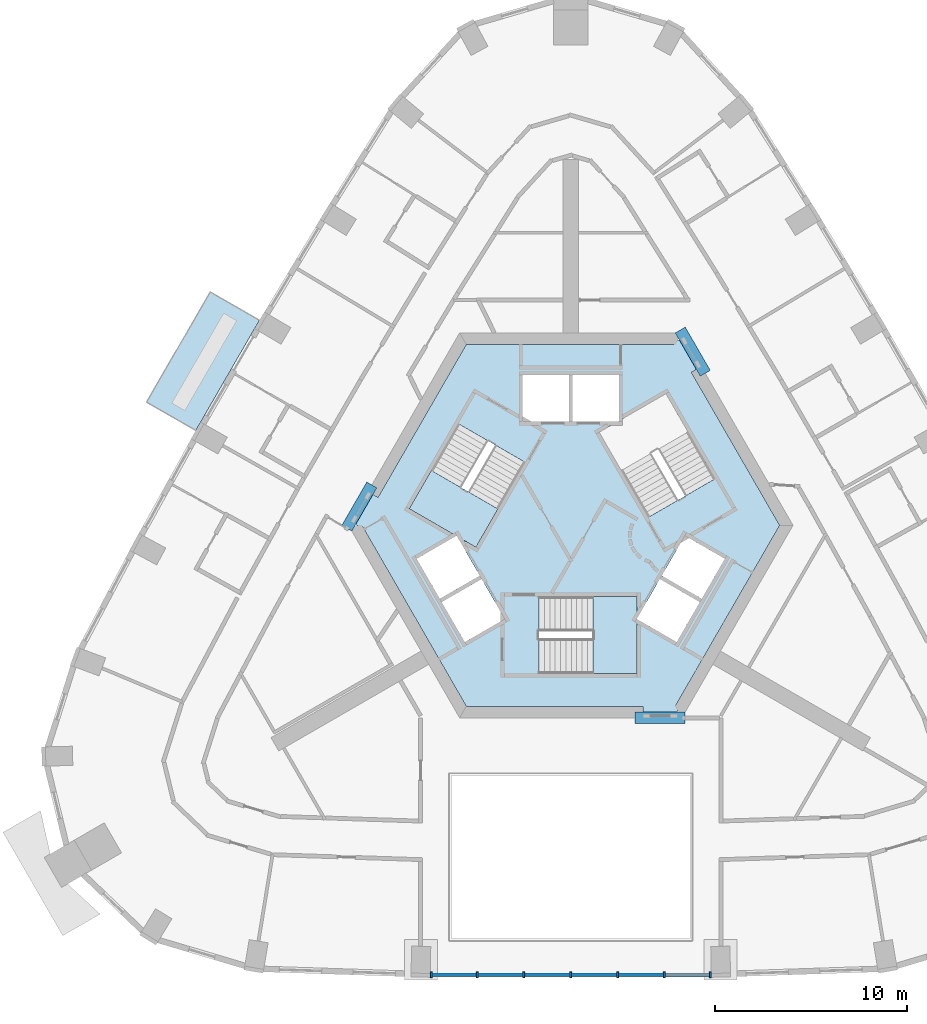
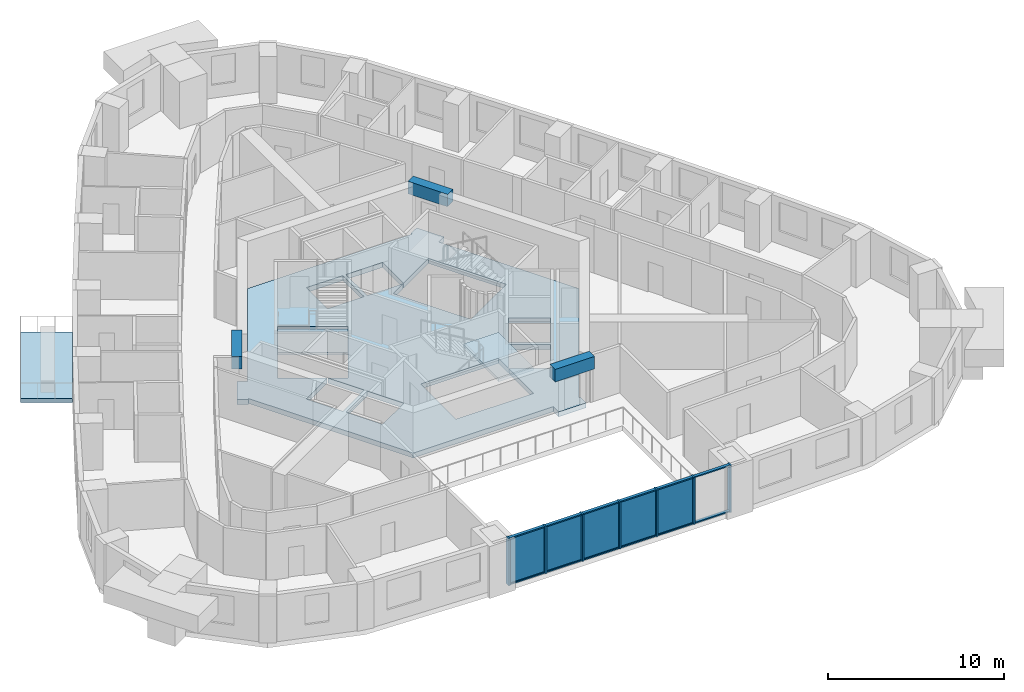
# One storey, part 2 of 13: 19 members, 5 plates, 4 slabs, 3 beams, 3 elements without a shape of their own.
"""IFC4 building model written with IfcOpenShell, lengths in metres."""

from ifc_helpers import new_model, si_unit, direction, frame, origin, origin_2d, place, context, subcontext, project, spatial, polyline, rectangle, outline, extrude, material, layer, layer_set, material_profile, profile_set, type_object, element, aggregate, save


model = new_model("IFC4")

# Units and contexts
model_context = context("Model", 3, precision=1e-05, world=origin(), true_north=direction((0.0, 1.0)))
body_context = subcontext(model_context, "Body", "Model", "MODEL_VIEW")
ifc_project = project(units=[si_unit("LENGTHUNIT", "METRE"), si_unit("AREAUNIT", "SQUARE_METRE"), si_unit("VOLUMEUNIT", "CUBIC_METRE"), si_unit("PLANEANGLEUNIT", "RADIAN"), si_unit("MASSUNIT", "GRAM", prefix="KILO")], contexts=[model_context])

# Site, building, storey
site_placement = place(None, origin())
site = spatial("IfcSite", under=ifc_project, at=site_placement, CompositionType="ELEMENT")
building_placement = place(site_placement, origin())
building = spatial("IfcBuilding", under=site, at=building_placement, Name="Entoto Arch Interchange Tower", CompositionType="ELEMENT")
storey_placement = place(building_placement, frame((0.0, 0.0, 270.199951171875)))
storey = spatial("IfcBuildingStorey", under=building, at=storey_placement, Name="L62", CompositionType="ELEMENT", Elevation=270.199951171875)

# Beams
ifc_material_1 = material(Name="Concrete C40/50", Category="concrete")
ifc_material_profile_1 = material_profile(ifc_material_1, rectangle(XDim=0.60009765625, YDim=0.860107421875, at=origin_2d()))
ifc_profile_set_1 = profile_set([ifc_material_profile_1], Name="Concrete C40/50")
beam_type = type_object("IfcBeamType", Name="Coupling beam RC 600x860 C40/50", PredefinedType="BEAM", material=ifc_profile_set_1)
beam_1_placement = place(storey_placement, frame((6.986083984375, 10.40087890625, 2.830078125), z_axis=(-0.500379508478, 0.865806183562, 0.0), x_axis=(-0.865806183562, -0.500379508478, 0.0)))
element("IfcBeam", 1, at=beam_1_placement, inside=storey, type_object=beam_type, Name="Coupling beam NE L62", PredefinedType="BEAM", context=body_context, shape_type="SweptSolid", body=[
    extrude(rectangle(XDim=0.60009765625, YDim=0.860107421875, at=origin_2d()), origin(), (0.0, 0.0, 1.0), 2.59423828125),
])
beam_2_placement = place(storey_placement, frame((-10.3359375, 4.59912109375, 2.830078125), z_axis=(-0.499814819145, -0.866132291606, 0.0), x_axis=(0.866132291606, -0.499814819145, 0.0)))
element("IfcBeam", 2, at=beam_2_placement, inside=storey, type_object=beam_type, Name="Coupling beam NW L62", PredefinedType="BEAM", context=body_context, shape_type="SweptSolid", body=[
    extrude(rectangle(XDim=0.60009765625, YDim=0.860107421875, at=origin_2d()), origin(), (0.0, 0.0, 1.0), 2.59326171875),
])
beam_3_placement = place(storey_placement, frame((3.35009765625, -7.5, 2.830078125), z_axis=(1.0, 0.0, 0.0), x_axis=(0.0, 1.0, 0.0)))
element("IfcBeam", 3, at=beam_3_placement, inside=storey, type_object=beam_type, Name="Coupling beam S L62", PredefinedType="BEAM", context=body_context, shape_type="SweptSolid", body=[
    extrude(rectangle(XDim=0.60009765625, YDim=0.860107421875, at=origin_2d()), origin(), (0.0, 0.0, 1.0), 2.593994140625),
])

# Curtain wall, members
ifc_material_2 = material(Name="Aluminium, anodised", Category="aluminium")
curtain_wall_type = type_object("IfcCurtainWallType", Name="CURTAIN WALL ATRIUM", PredefinedType="NOTDEFINED", material=ifc_material_2)
curtain_wall_placement = place(storey_placement, origin())
curtain_wall = element("IfcCurtainWall", 4, at=curtain_wall_placement, inside=storey, type_object=curtain_wall_type, Name="Atrium glazing S-02 L62", PredefinedType="NOTDEFINED")
ifc_material_profile_2 = material_profile(ifc_material_2, rectangle(XDim=0.300048828125, YDim=0.10009765625, at=origin_2d()))
ifc_profile_set_2 = profile_set([ifc_material_profile_2], Name="Aluminium, anodised")
member_type_1 = type_object("IfcMemberType", Name="MULLION ATRIUM 100x300", PredefinedType="MULLION", material=ifc_profile_set_2)
member_1_placement = place(storey_placement, frame((-7.2490234375, -20.843994140625, 0.0), z_axis=(0.0, 0.0, 1.0), x_axis=(0.0, 1.0, 0.0)))
member_1 = element("IfcMember", 5, at=member_1_placement, type_object=member_type_1, Name="CWA mullion 1", PredefinedType="MULLION", context=body_context, shape_type="SweptSolid", body=[
    extrude(rectangle(XDim=0.300048828125, YDim=0.10009765625, at=origin_2d()), origin(), (0.0, 0.0, 1.0), 3.260009765625),
])
member_2_placement = place(storey_placement, frame((-4.865966796875, -20.843994140625, 0.0), z_axis=(0.0, 0.0, 1.0), x_axis=(0.0, 1.0, 0.0)))
member_2 = element("IfcMember", 6, at=member_2_placement, type_object=member_type_1, Name="CWA mullion 2", PredefinedType="MULLION", context=body_context, shape_type="SweptSolid", body=[
    extrude(rectangle(XDim=0.300048828125, YDim=0.10009765625, at=origin_2d()), origin(), (0.0, 0.0, 1.0), 3.260009765625),
])
member_3_placement = place(storey_placement, frame((-2.43310546875, -20.843994140625, 0.0), z_axis=(0.0, 0.0, 1.0), x_axis=(0.0, 1.0, 0.0)))
member_3 = element("IfcMember", 7, at=member_3_placement, type_object=member_type_1, Name="CWA mullion 3", PredefinedType="MULLION", context=body_context, shape_type="SweptSolid", body=[
    extrude(rectangle(XDim=0.300048828125, YDim=0.10009765625, at=origin_2d()), origin(), (0.0, 0.0, 1.0), 3.260009765625),
])
member_4_placement = place(storey_placement, frame((0.0, -20.843994140625, 0.0), z_axis=(0.0, 0.0, 1.0), x_axis=(0.0, 1.0, 0.0)))
member_4 = element("IfcMember", 8, at=member_4_placement, type_object=member_type_1, Name="CWA mullion 4", PredefinedType="MULLION", context=body_context, shape_type="SweptSolid", body=[
    extrude(rectangle(XDim=0.300048828125, YDim=0.10009765625, at=origin_2d()), origin(), (0.0, 0.0, 1.0), 3.260009765625),
])
member_5_placement = place(storey_placement, frame((2.43310546875, -20.843994140625, 0.0), z_axis=(0.0, 0.0, 1.0), x_axis=(0.0, 1.0, 0.0)))
member_5 = element("IfcMember", 9, at=member_5_placement, type_object=member_type_1, Name="CWA mullion 5", PredefinedType="MULLION", context=body_context, shape_type="SweptSolid", body=[
    extrude(rectangle(XDim=0.300048828125, YDim=0.10009765625, at=origin_2d()), origin(), (0.0, 0.0, 1.0), 3.260009765625),
])
member_6_placement = place(storey_placement, frame((4.865966796875, -20.843994140625, 0.0), z_axis=(0.0, 0.0, 1.0), x_axis=(0.0, 1.0, 0.0)))
member_6 = element("IfcMember", 10, at=member_6_placement, type_object=member_type_1, Name="CWA mullion 6", PredefinedType="MULLION", context=body_context, shape_type="SweptSolid", body=[
    extrude(rectangle(XDim=0.300048828125, YDim=0.10009765625, at=origin_2d()), origin(), (0.0, 0.0, 1.0), 3.260009765625),
])
member_7_placement = place(storey_placement, frame((7.2490234375, -20.843994140625, 0.0), z_axis=(0.0, 0.0, 1.0), x_axis=(0.0, 1.0, 0.0)))
member_7 = element("IfcMember", 11, at=member_7_placement, type_object=member_type_1, Name="CWA mullion 7", PredefinedType="MULLION", context=body_context, shape_type="SweptSolid", body=[
    extrude(rectangle(XDim=0.300048828125, YDim=0.10009765625, at=origin_2d()), origin(), (0.0, 0.0, 1.0), 3.260009765625),
])
ifc_material_profile_3 = material_profile(ifc_material_2, rectangle(XDim=0.199951171875, YDim=0.080078125, at=origin_2d()))
ifc_profile_set_3 = profile_set([ifc_material_profile_3], Name="Aluminium, anodised")
member_type_2 = type_object("IfcMemberType", Name="TRANSOM ATRIUM 80x200", PredefinedType="USERDEFINED", material=ifc_profile_set_3)
member_8_placement = place(storey_placement, frame((-7.198974609375, -20.843994140625, 0.0400390625), z_axis=(1.0, 0.0, 0.0), x_axis=(0.0, 1.0, 0.0)))
member_8 = element("IfcMember", 12, at=member_8_placement, type_object=member_type_2, Name="CWA transom 1.1", ObjectType="TRANSOM", PredefinedType="USERDEFINED", context=body_context, shape_type="SweptSolid", body=[
    extrude(rectangle(XDim=0.199951171875, YDim=0.080078125, at=origin_2d()), origin(), (0.0, 0.0, 1.0), 2.282958984375),
])
member_9_placement = place(storey_placement, frame((-7.198974609375, -20.843994140625, 3.219970703125), z_axis=(1.0, 0.0, 0.0), x_axis=(0.0, 1.0, 0.0)))
member_9 = element("IfcMember", 13, at=member_9_placement, type_object=member_type_2, Name="CWA transom 1.2", ObjectType="TRANSOM", PredefinedType="USERDEFINED", context=body_context, shape_type="SweptSolid", body=[
    extrude(rectangle(XDim=0.199951171875, YDim=0.080078125, at=origin_2d()), origin(), (0.0, 0.0, 1.0), 2.282958984375),
])
member_10_placement = place(storey_placement, frame((-4.81591796875, -20.843994140625, 0.0400390625), z_axis=(1.0, 0.0, 0.0), x_axis=(0.0, 1.0, 0.0)))
member_10 = element("IfcMember", 14, at=member_10_placement, type_object=member_type_2, Name="CWA transom 2.1", ObjectType="TRANSOM", PredefinedType="USERDEFINED", context=body_context, shape_type="SweptSolid", body=[
    extrude(rectangle(XDim=0.199951171875, YDim=0.080078125, at=origin_2d()), origin(), (0.0, 0.0, 1.0), 2.3330078125),
])
member_11_placement = place(storey_placement, frame((-4.81591796875, -20.843994140625, 3.219970703125), z_axis=(1.0, 0.0, 0.0), x_axis=(0.0, 1.0, 0.0)))
member_11 = element("IfcMember", 15, at=member_11_placement, type_object=member_type_2, Name="CWA transom 2.2", ObjectType="TRANSOM", PredefinedType="USERDEFINED", context=body_context, shape_type="SweptSolid", body=[
    extrude(rectangle(XDim=0.199951171875, YDim=0.080078125, at=origin_2d()), origin(), (0.0, 0.0, 1.0), 2.3330078125),
])
member_12_placement = place(storey_placement, frame((-2.383056640625, -20.843994140625, 0.0400390625), z_axis=(1.0, 0.0, 0.0), x_axis=(0.0, 1.0, 0.0)))
member_12 = element("IfcMember", 16, at=member_12_placement, type_object=member_type_2, Name="CWA transom 3.1", ObjectType="TRANSOM", PredefinedType="USERDEFINED", context=body_context, shape_type="SweptSolid", body=[
    extrude(rectangle(XDim=0.199951171875, YDim=0.080078125, at=origin_2d()), origin(), (0.0, 0.0, 1.0), 2.3330078125),
])
member_13_placement = place(storey_placement, frame((-2.383056640625, -20.843994140625, 3.219970703125), z_axis=(1.0, 0.0, 0.0), x_axis=(0.0, 1.0, 0.0)))
member_13 = element("IfcMember", 17, at=member_13_placement, type_object=member_type_2, Name="CWA transom 3.2", ObjectType="TRANSOM", PredefinedType="USERDEFINED", context=body_context, shape_type="SweptSolid", body=[
    extrude(rectangle(XDim=0.199951171875, YDim=0.080078125, at=origin_2d()), origin(), (0.0, 0.0, 1.0), 2.3330078125),
])
member_14_placement = place(storey_placement, frame((0.050048828125, -20.843994140625, 0.0400390625), z_axis=(1.0, 0.0, 0.0), x_axis=(0.0, 1.0, 0.0)))
member_14 = element("IfcMember", 18, at=member_14_placement, type_object=member_type_2, Name="CWA transom 4.1", ObjectType="TRANSOM", PredefinedType="USERDEFINED", context=body_context, shape_type="SweptSolid", body=[
    extrude(rectangle(XDim=0.199951171875, YDim=0.080078125, at=origin_2d()), origin(), (0.0, 0.0, 1.0), 2.3330078125),
])
member_15_placement = place(storey_placement, frame((0.050048828125, -20.843994140625, 3.219970703125), z_axis=(1.0, 0.0, 0.0), x_axis=(0.0, 1.0, 0.0)))
member_15 = element("IfcMember", 19, at=member_15_placement, type_object=member_type_2, Name="CWA transom 4.2", ObjectType="TRANSOM", PredefinedType="USERDEFINED", context=body_context, shape_type="SweptSolid", body=[
    extrude(rectangle(XDim=0.199951171875, YDim=0.080078125, at=origin_2d()), origin(), (0.0, 0.0, 1.0), 2.3330078125),
])
member_16_placement = place(storey_placement, frame((2.48291015625, -20.843994140625, 0.0400390625), z_axis=(1.0, 0.0, 0.0), x_axis=(0.0, 1.0, 0.0)))
member_16 = element("IfcMember", 20, at=member_16_placement, type_object=member_type_2, Name="CWA transom 5.1", ObjectType="TRANSOM", PredefinedType="USERDEFINED", context=body_context, shape_type="SweptSolid", body=[
    extrude(rectangle(XDim=0.199951171875, YDim=0.080078125, at=origin_2d()), origin(), (0.0, 0.0, 1.0), 2.3330078125),
])
member_17_placement = place(storey_placement, frame((2.48291015625, -20.843994140625, 3.219970703125), z_axis=(1.0, 0.0, 0.0), x_axis=(0.0, 1.0, 0.0)))
member_17 = element("IfcMember", 21, at=member_17_placement, type_object=member_type_2, Name="CWA transom 5.2", ObjectType="TRANSOM", PredefinedType="USERDEFINED", context=body_context, shape_type="SweptSolid", body=[
    extrude(rectangle(XDim=0.199951171875, YDim=0.080078125, at=origin_2d()), origin(), (0.0, 0.0, 1.0), 2.3330078125),
])
member_18_placement = place(storey_placement, frame((4.916015625, -20.843994140625, 0.0400390625), z_axis=(1.0, 0.0, 0.0), x_axis=(0.0, 1.0, 0.0)))
member_18 = element("IfcMember", 22, at=member_18_placement, type_object=member_type_2, Name="CWA transom 6.1", ObjectType="TRANSOM", PredefinedType="USERDEFINED", context=body_context, shape_type="SweptSolid", body=[
    extrude(rectangle(XDim=0.199951171875, YDim=0.080078125, at=origin_2d()), origin(), (0.0, 0.0, 1.0), 2.282958984375),
])
member_19_placement = place(storey_placement, frame((4.916015625, -20.843994140625, 3.219970703125), z_axis=(1.0, 0.0, 0.0), x_axis=(0.0, 1.0, 0.0)))
member_19 = element("IfcMember", 23, at=member_19_placement, type_object=member_type_2, Name="CWA transom 6.2", ObjectType="TRANSOM", PredefinedType="USERDEFINED", context=body_context, shape_type="SweptSolid", body=[
    extrude(rectangle(XDim=0.199951171875, YDim=0.080078125, at=origin_2d()), origin(), (0.0, 0.0, 1.0), 2.282958984375),
])

# Slabs
ifc_material_3 = material(Name="Board-marked precast concrete C50/60", Category="concrete")
ifc_layer_1 = layer(ifc_material_3, 0.25)
ifc_layer_set_1 = layer_set([ifc_layer_1], Name="Board-marked precast concrete C50/60")
slab_type_1 = type_object("IfcSlabType", Name="BALCONY DECK PRECAST 250", PredefinedType="FLOOR", material=ifc_layer_set_1)
slab_1_placement = place(storey_placement, frame((0.0, 0.0, -0.25)))
element("IfcSlab", 24, at=slab_1_placement, inside=storey, type_object=slab_type_1, Name="Planted balcony NW-03 L62", PredefinedType="FLOOR", context=body_context, shape_type="SweptSolid", body=[
    extrude(outline(polyline([(-16.174072265625, 13.155029296875), (-19.47998046875, 7.428955078125), (-22.034912109375, 8.904052734375), (-18.72900390625, 14.6298828125), (-16.174072265625, 13.155029296875)])), origin(), (0.0, 0.0, 1.0), 0.25),
])
ifc_layer_2 = layer(ifc_material_1, 0.340087890625)
ifc_layer_set_2 = layer_set([ifc_layer_2], Name="Concrete C40/50")
slab_type_2 = type_object("IfcSlabType", Name="Core floor slab 340 C40/50", PredefinedType="FLOOR", material=ifc_layer_set_2)
slab_2_placement = place(storey_placement, frame((0.0, 0.0, -0.33984375)))
element("IfcSlab", 25, at=slab_2_placement, inside=storey, type_object=slab_type_2, Name="Core floor slab L62", PredefinedType="FLOOR", context=body_context, shape_type="SweptSolid", body=[
    extrude(outline(polyline([(-10.824951171875, 2.450927734375), (-10.8701171875, 2.3740234375), (-11.431884765625, 2.698974609375), (-10.535888671875, 4.2529296875), (-10.014892578125, 3.952880859375), (-5.427001953125, 11.89990234375), (5.368896484375, 11.89990234375), (5.325927734375, 11.97607421875), (5.887939453125, 12.301025390625), (6.784912109375, 10.7470703125), (6.26611328125, 10.447021484375), (10.85400390625, 2.5), (5.4560546875, -6.85009765625), (5.5439453125, -6.85009765625), (5.5439453125, -7.5), (3.75, -7.5), (3.75, -6.89990234375), (-5.427001953125, -6.89990234375), (-10.824951171875, 2.450927734375)]), holes=[polyline([(-1.64990234375, -5.199951171875), (3.449951171875, -5.199951171875), (3.449951171875, -2.3779296875), (5.5048828125, -3.56494140625), (6.705078125, -1.487060546875), (4.626953125, -0.287109375), (3.449951171875, -2.324951171875), (3.449951171875, -1.199951171875), (-1.64990234375, -1.199951171875), (-1.64990234375, -5.199951171875)]), polyline([(-4.626953125, -0.287109375), (-6.705078125, -1.487060546875), (-5.5048828125, -3.56494140625), (-3.427001953125, -2.364990234375), (-4.626953125, -0.287109375)]), polyline([(-5.904052734375, 1.925048828125), (-4.928955078125, 1.362060546875), (-2.37890625, 5.779052734375), (-5.843017578125, 7.779052734375), (-8.39306640625, 3.362060546875), (-5.949951171875, 1.951904296875), (-8.0048828125, 0.764892578125), (-6.804931640625, -1.31298828125), (-4.72705078125, -0.113037109375), (-5.904052734375, 1.925048828125)]), polyline([(4.72705078125, -0.113037109375), (6.804931640625, -1.31298828125), (8.0048828125, 0.764892578125), (5.927001953125, 1.965087890625), (4.72705078125, -0.113037109375)]), polyline([(2.5, 7.927001953125), (2.5, 10.300048828125), (0.10009765625, 10.300048828125), (0.10009765625, 7.89990234375), (2.452880859375, 7.89990234375), (1.47900390625, 7.337890625), (4.029052734375, 2.9208984375), (7.492919921875, 4.9208984375), (4.943115234375, 9.337890625), (2.5, 7.927001953125)]), polyline([(-2.5, 7.89990234375), (-0.10009765625, 7.89990234375), (-0.10009765625, 10.300048828125), (-2.5, 10.300048828125), (-2.5, 7.89990234375)])]), origin(), (0.0, 0.0, 1.0), 0.33984375),
])

# Stair, slab
stair_type = type_object("IfcStairType", Name="EXIT STAIR RC 1800", PredefinedType="HALF_TURN_STAIR", material=ifc_material_1)
stair_1_placement = place(storey_placement, origin())
stair_1 = element("IfcStair", 26, at=stair_1_placement, inside=storey, type_object=stair_type, Name="L62 Exit stair S", PredefinedType="HALF_TURN_STAIR")
ifc_layer_3 = layer(ifc_material_1, 0.199951171875)
ifc_layer_set_3 = layer_set([ifc_layer_3], Name="Concrete C40/50")
slab_type_3 = type_object("IfcSlabType", Name="EXIT STAIR LANDING RC 200", PredefinedType="LANDING", material=ifc_layer_set_3)
slab_3_placement = place(storey_placement, frame((0.0, 0.0, 1.60009765625)))
slab_3 = element("IfcSlab", 27, at=slab_3_placement, type_object=slab_type_3, Name="ST-S landing 1", PredefinedType="LANDING", context=body_context, shape_type="SweptSolid", body=[
    extrude(outline(polyline([(1.14990234375, -5.199951171875), (3.449951171875, -5.199951171875), (3.449951171875, -1.199951171875), (1.14990234375, -1.199951171875), (1.14990234375, -5.199951171875)])), origin(), (0.0, 0.0, 1.0), 0.199951171875),
])
aggregate(stair_1, [slab_3])

stair_2_placement = place(storey_placement, origin())
stair_2 = element("IfcStair", 28, at=stair_2_placement, inside=storey, type_object=stair_type, Name="L62 Exit stair NW", PredefinedType="HALF_TURN_STAIR")
slab_4_placement = place(storey_placement, frame((0.0, 0.0, 1.60009765625)))
slab_4 = element("IfcSlab", 29, at=slab_4_placement, type_object=slab_type_3, Name="ST-NW landing 1", PredefinedType="LANDING", context=body_context, shape_type="SweptSolid", body=[
    extrude(outline(polyline([(-7.243408203125, 5.35400390625), (-8.393310546875, 3.3623046875), (-4.92919921875, 1.3623046875), (-3.779296875, 3.35400390625), (-7.243408203125, 5.35400390625)])), origin(), (0.0, 0.0, 1.0), 0.199951171875),
])
aggregate(stair_2, [slab_4])

# Plate
ifc_material_4 = material(Name="Clear glass, low-e double glazed", Category="glass")
ifc_layer_4 = layer(ifc_material_4, 0.031982421875)
ifc_layer_set_4 = layer_set([ifc_layer_4], Name="Clear glass, low-e double glazed")
plate_type = type_object("IfcPlateType", Name="GLAZING PANEL ATRIUM 32", PredefinedType="CURTAIN_PANEL", material=ifc_layer_set_4)
plate_1_placement = place(storey_placement, frame((-6.0576171875, -20.843994140625, 0.080078125), z_axis=(0.0, 0.0, 1.0), x_axis=(1.0, 0.0, 0.0)))
plate_1 = element("IfcPlate", 30, at=plate_1_placement, type_object=plate_type, Name="CWA panel 1.1", PredefinedType="CURTAIN_PANEL", context=body_context, shape_type="SweptSolid", body=[
    extrude(rectangle(XDim=2.282958984375, YDim=0.031982421875, at=origin_2d()), origin(), (0.0, 0.0, 1.0), 3.10009765625),
])

plate_2_placement = place(storey_placement, frame((-3.6494140625, -20.843994140625, 0.080078125), z_axis=(0.0, 0.0, 1.0), x_axis=(1.0, 0.0, 0.0)))
plate_2 = element("IfcPlate", 31, at=plate_2_placement, type_object=plate_type, Name="CWA panel 2.1", PredefinedType="CURTAIN_PANEL", context=body_context, shape_type="SweptSolid", body=[
    extrude(rectangle(XDim=2.3330078125, YDim=0.031982421875, at=origin_2d()), origin(), (0.0, 0.0, 1.0), 3.10009765625),
])

plate_3_placement = place(storey_placement, frame((-1.216552734375, -20.843994140625, 0.080078125), z_axis=(0.0, 0.0, 1.0), x_axis=(1.0, 0.0, 0.0)))
plate_3 = element("IfcPlate", 32, at=plate_3_placement, type_object=plate_type, Name="CWA panel 3.1", PredefinedType="CURTAIN_PANEL", context=body_context, shape_type="SweptSolid", body=[
    extrude(rectangle(XDim=2.3330078125, YDim=0.031982421875, at=origin_2d()), origin(), (0.0, 0.0, 1.0), 3.10009765625),
])

plate_4_placement = place(storey_placement, frame((1.216552734375, -20.843994140625, 0.080078125), z_axis=(0.0, 0.0, 1.0), x_axis=(1.0, 0.0, 0.0)))
plate_4 = element("IfcPlate", 33, at=plate_4_placement, type_object=plate_type, Name="CWA panel 4.1", PredefinedType="CURTAIN_PANEL", context=body_context, shape_type="SweptSolid", body=[
    extrude(rectangle(XDim=2.3330078125, YDim=0.031982421875, at=origin_2d()), origin(), (0.0, 0.0, 1.0), 3.10009765625),
])

plate_5_placement = place(storey_placement, frame((3.6494140625, -20.843994140625, 0.080078125), z_axis=(0.0, 0.0, 1.0), x_axis=(1.0, 0.0, 0.0)))
plate_5 = element("IfcPlate", 34, at=plate_5_placement, type_object=plate_type, Name="CWA panel 5.1", PredefinedType="CURTAIN_PANEL", context=body_context, shape_type="SweptSolid", body=[
    extrude(rectangle(XDim=2.3330078125, YDim=0.031982421875, at=origin_2d()), origin(), (0.0, 0.0, 1.0), 3.10009765625),
])

aggregate(curtain_wall, [member_1, member_2, member_3, member_4, member_5, member_6, member_7, member_8, member_9, plate_1, member_10, member_11, plate_2, member_12, member_13, plate_3, member_14, member_15, plate_4, member_16, member_17, plate_5, member_18, member_19])

save(model, "model.ifc")
